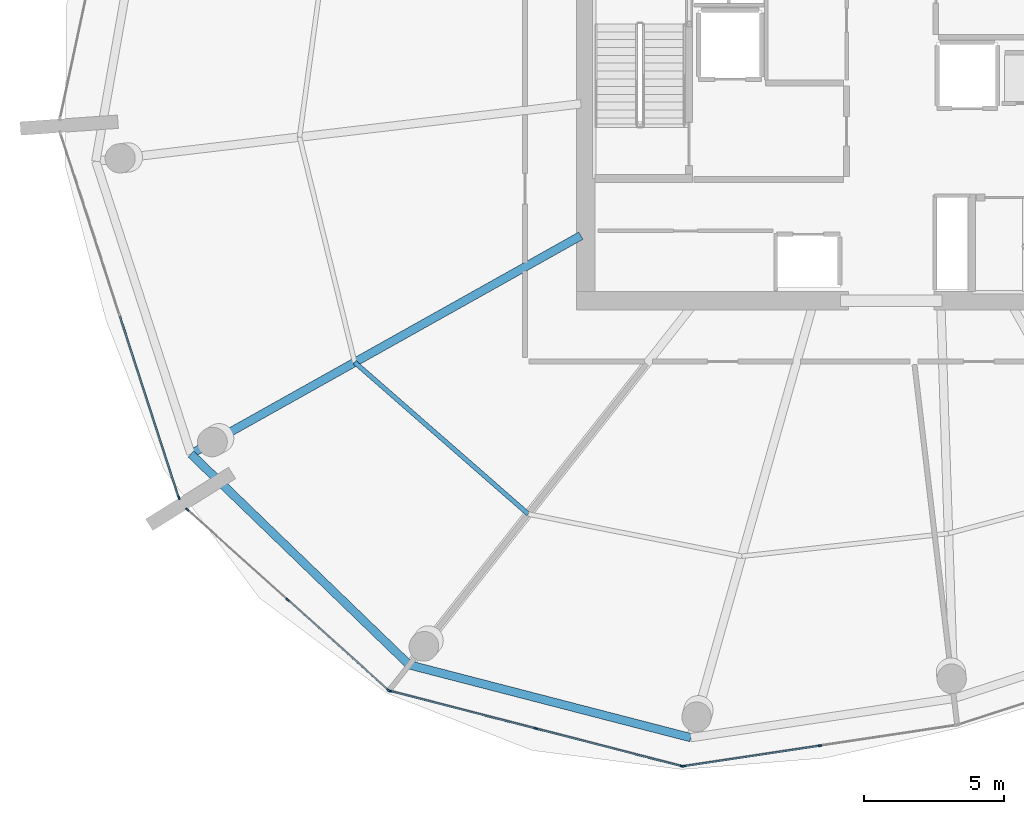
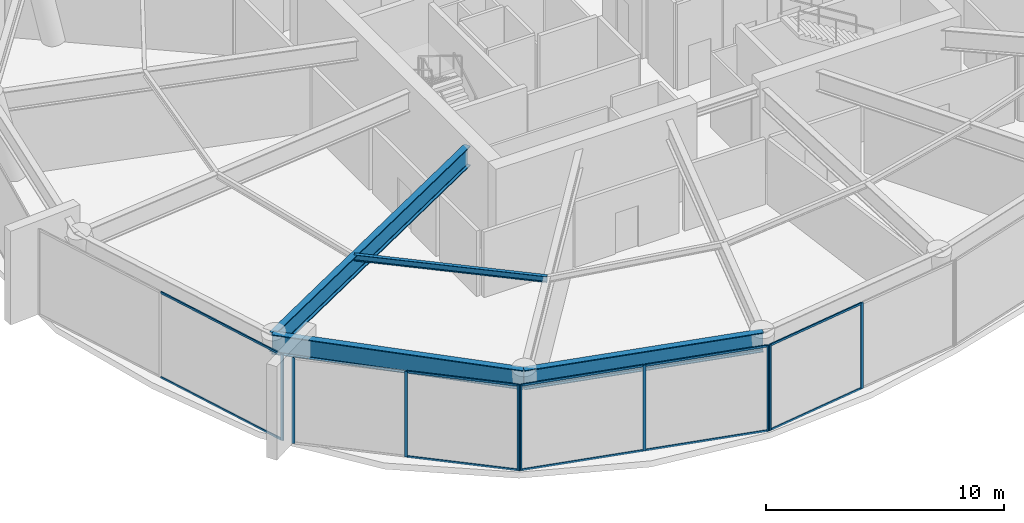
# One storey, part 5 of 22: 19 members, 4 beams, 4 elements without a shape of their own.
"""IFC4 building model written with IfcOpenShell, lengths in metres."""

from ifc_helpers import new_model, si_unit, direction, frame, origin, origin_2d, place, context, subcontext, project, spatial, rectangle, i_section, extrude, material, layer, layer_set, material_profile, profile_set, type_object, element, aggregate, save


model = new_model("IFC4")

# Units and contexts
model_context = context("Model", 3, precision=1e-05, world=origin(), true_north=direction((0.0, 1.0)))
body_context = subcontext(model_context, "Body", "Model", "MODEL_VIEW")
ifc_project = project(units=[si_unit("LENGTHUNIT", "METRE"), si_unit("AREAUNIT", "SQUARE_METRE"), si_unit("VOLUMEUNIT", "CUBIC_METRE"), si_unit("PLANEANGLEUNIT", "RADIAN"), si_unit("MASSUNIT", "GRAM", prefix="KILO")], contexts=[model_context])

# Site, building, storey
site_placement = place(None, origin())
site = spatial("IfcSite", under=ifc_project, at=site_placement, CompositionType="ELEMENT")
building_placement = place(site_placement, origin())
building = spatial("IfcBuilding", under=site, at=building_placement, Name="Kazma Halo Residences", CompositionType="ELEMENT")
storey_placement = place(building_placement, frame((0.0, 0.0, 231.89990234375)))
storey = spatial("IfcBuildingStorey", under=building, at=storey_placement, Name="L58", CompositionType="ELEMENT", Elevation=231.89990234375)

# Beams
ifc_material_1 = material(Name="Steel S355", Category="steel")
ifc_material_profile_1 = material_profile(ifc_material_1, i_section(OverallWidth=0.1650390625, OverallDepth=0.31005859375, WebThickness=0.005859375, FlangeThickness=0.009765625, FilletRadius=0.011962890625, at=origin_2d()), Name="W310x38.7")
ifc_profile_set_1 = profile_set([ifc_material_profile_1], Name="Steel S355")
beam_type_1 = type_object("IfcBeamType", Name="BM-SEC-W310B", PredefinedType="JOIST", material=ifc_profile_set_1)
beam_1_placement = place(storey_placement, frame((29.197265625, 31.469970703125, 4.2451171875), z_axis=(0.752882471337, -0.658154985055, 0.0), x_axis=(0.658154985055, 0.752882471337, 0.0)))
element("IfcBeam", 1, at=beam_1_placement, inside=storey, type_object=beam_type_1, Name="L58 circumferential floor joist 09", PredefinedType="JOIST", context=body_context, shape_type="SweptSolid", body=[
    extrude(i_section(OverallWidth=0.1650390625, OverallDepth=0.31005859375, WebThickness=0.005859375, FlangeThickness=0.009765625, FilletRadius=0.011962890625, at=origin_2d()), origin(), (0.0, 0.0, 1.0), 8.257568359375),
])
ifc_material_profile_2 = material_profile(ifc_material_1, i_section(OverallWidth=0.302001953125, OverallDepth=1.01806640625, WebThickness=0.021484375, FlangeThickness=0.049072265625, FilletRadius=0.028076171875, at=origin_2d()), Name="W1000x443")
ifc_profile_set_2 = profile_set([ifc_material_profile_2], Name="Steel S355")
beam_type_2 = type_object("IfcBeamType", Name="BM-TRANS-W1000A", PredefinedType="BEAM", material=ifc_profile_set_2)
beam_2_placement = place(storey_placement, frame((37.300048828125, 36.0078125, 3.89111328125), z_axis=(-0.872498735757, -0.488616369049, 0.0), x_axis=(0.488616369049, -0.872498735757, 0.0)))
element("IfcBeam", 2, at=beam_2_placement, inside=storey, type_object=beam_type_2, Name="L58 podium radial transfer girder 09", PredefinedType="BEAM", context=body_context, shape_type="SweptSolid", body=[
    extrude(i_section(OverallWidth=0.302001953125, OverallDepth=1.01806640625, WebThickness=0.021484375, FlangeThickness=0.049072265625, FilletRadius=0.028076171875, at=origin_2d()), origin(), (0.0, 0.0, 1.0), 16.011962890625),
])
ifc_material_profile_3 = material_profile(ifc_material_1, i_section(OverallWidth=0.300048828125, OverallDepth=1.0, WebThickness=0.01904296875, FlangeThickness=0.0400390625, FilletRadius=0.02587890625, at=origin_2d()), Name="W1000x371")
ifc_profile_set_3 = profile_set([ifc_material_profile_3], Name="Steel S355")
beam_type_3 = type_object("IfcBeamType", Name="BM-TRANS-W1000B", PredefinedType="BEAM", material=ifc_profile_set_3)
beam_3_placement = place(storey_placement, frame((23.32958984375, 28.18408203125, 3.900146484375), z_axis=(0.719345757929, -0.694652201141, 0.0), x_axis=(0.694652201141, 0.719345757929, 0.0)))
element("IfcBeam", 3, at=beam_3_placement, inside=storey, type_object=beam_type_3, Name="L58 perimeter ring beam 09", PredefinedType="BEAM", context=body_context, shape_type="SweptSolid", body=[
    extrude(i_section(OverallWidth=0.300048828125, OverallDepth=1.0, WebThickness=0.01904296875, FlangeThickness=0.0400390625, FilletRadius=0.02587890625, at=origin_2d()), origin(), (0.0, 0.0, 1.0), 10.87548828125),
])
beam_4_placement = place(storey_placement, frame((31.15283203125, 20.62939453125, 3.900146484375), z_axis=(0.968126042852, -0.250463500639, 0.0), x_axis=(0.250463500639, 0.968126042852, 0.0)))
element("IfcBeam", 4, at=beam_4_placement, inside=storey, type_object=beam_type_3, Name="L58 perimeter ring beam 10", PredefinedType="BEAM", context=body_context, shape_type="SweptSolid", body=[
    extrude(i_section(OverallWidth=0.300048828125, OverallDepth=1.0, WebThickness=0.01904296875, FlangeThickness=0.0400390625, FilletRadius=0.02587890625, at=origin_2d()), origin(), (0.0, 0.0, 1.0), 10.416259765625),
])

# Curtain wall, member
ifc_material_2 = material(Name="Aluminium AW-6063 T6 and Triple-Silver Low-E Glass", Category="aluminium")
ifc_layer = layer(ifc_material_2, 0.139892578125)
ifc_layer_set = layer_set([ifc_layer], Name="Aluminium AW-6063 T6 and Triple-Silver Low-E Glass")
curtain_wall_type = type_object("IfcCurtainWallType", Name="CW-SYS-5", PredefinedType="NOTDEFINED", material=ifc_layer_set)
curtain_wall_1_placement = place(storey_placement, origin())
curtain_wall_1 = element("IfcCurtainWall", 5, at=curtain_wall_1_placement, inside=storey, type_object=curtain_wall_type, Name="L58 unitised curtain wall B08", PredefinedType="NOTDEFINED")
ifc_material_3 = material(Name="Aluminium AW-6063 T6", Category="aluminium")
ifc_material_profile_4 = material_profile(ifc_material_3, rectangle(XDim=0.06005859375, YDim=0.139892578125, at=origin_2d()), Name="CWM-60x140")
ifc_profile_set_4 = profile_set([ifc_material_profile_4], Name="Aluminium AW-6063 T6")
member_type_1 = type_object("IfcMemberType", Name="CW-SYS-5-MUL", PredefinedType="MULLION", material=ifc_profile_set_4)
member_1_placement = place(storey_placement, frame((22.897216796875, 26.62109375, 0.0), z_axis=(0.0, 0.0, 1.0), x_axis=(0.951055583158, 0.309019866261, 0.0)))
member_1 = element("IfcMember", 6, at=member_1_placement, type_object=member_type_1, Name="CWS-5 mullion 3", PredefinedType="MULLION", context=body_context, shape_type="SweptSolid", body=[
    extrude(rectangle(XDim=0.06005859375, YDim=0.139892578125, at=origin_2d()), origin(), (0.0, 0.0, 1.0), 4.400146484375),
])

# Curtain wall, members
curtain_wall_2_placement = place(storey_placement, origin())
curtain_wall_2 = element("IfcCurtainWall", 7, at=curtain_wall_2_placement, inside=storey, type_object=curtain_wall_type, Name="L58 unitised curtain wall B09", PredefinedType="NOTDEFINED")
member_2_placement = place(storey_placement, frame((23.19482421875, 26.193359375, 0.0), z_axis=(0.0, 0.0, 1.0), x_axis=(0.667800416694, 0.744340381454, 0.0)))
member_2 = element("IfcMember", 8, at=member_2_placement, type_object=member_type_1, Name="CWS-5 mullion 1", PredefinedType="MULLION", context=body_context, shape_type="SweptSolid", body=[
    extrude(rectangle(XDim=0.06005859375, YDim=0.139892578125, at=origin_2d()), origin(), (0.0, 0.0, 1.0), 4.400146484375),
])
member_3_placement = place(storey_placement, frame((26.798828125, 22.9599609375, 0.0), z_axis=(0.0, 0.0, 1.0), x_axis=(0.667800416694, 0.744340381454, 0.0)))
member_3 = element("IfcMember", 9, at=member_3_placement, type_object=member_type_1, Name="CWS-5 mullion 2", PredefinedType="MULLION", context=body_context, shape_type="SweptSolid", body=[
    extrude(rectangle(XDim=0.06005859375, YDim=0.139892578125, at=origin_2d()), origin(), (0.0, 0.0, 1.0), 4.400146484375),
])
member_4_placement = place(storey_placement, frame((30.40283203125, 19.7265625, 0.0), z_axis=(0.0, 0.0, 1.0), x_axis=(0.667800416694, 0.744340381454, 0.0)))
member_4 = element("IfcMember", 10, at=member_4_placement, type_object=member_type_1, Name="CWS-5 mullion 3", PredefinedType="MULLION", context=body_context, shape_type="SweptSolid", body=[
    extrude(rectangle(XDim=0.06005859375, YDim=0.139892578125, at=origin_2d()), origin(), (0.0, 0.0, 1.0), 4.400146484375),
])

curtain_wall_3_placement = place(storey_placement, origin())
curtain_wall_3 = element("IfcCurtainWall", 11, at=curtain_wall_3_placement, inside=storey, type_object=curtain_wall_type, Name="L58 unitised curtain wall B10", PredefinedType="NOTDEFINED")
member_5_placement = place(storey_placement, frame((30.454345703125, 19.698974609375, 0.0), z_axis=(0.0, 0.0, 1.0), x_axis=(0.249566561617, 0.96835764639, 0.0)))
member_5 = element("IfcMember", 12, at=member_5_placement, type_object=member_type_1, Name="CWS-5 mullion 1", PredefinedType="MULLION", context=body_context, shape_type="SweptSolid", body=[
    extrude(rectangle(XDim=0.06005859375, YDim=0.139892578125, at=origin_2d()), origin(), (0.0, 0.0, 1.0), 4.400146484375),
])
member_6_placement = place(storey_placement, frame((35.6865234375, 18.3505859375, 0.0), z_axis=(0.0, 0.0, 1.0), x_axis=(0.249566561617, 0.96835764639, 0.0)))
member_6 = element("IfcMember", 13, at=member_6_placement, type_object=member_type_1, Name="CWS-5 mullion 2", PredefinedType="MULLION", context=body_context, shape_type="SweptSolid", body=[
    extrude(rectangle(XDim=0.06005859375, YDim=0.139892578125, at=origin_2d()), origin(), (0.0, 0.0, 1.0), 4.400146484375),
])
member_7_placement = place(storey_placement, frame((40.918701171875, 17.002197265625, 0.0), z_axis=(0.0, 0.0, 1.0), x_axis=(0.249566561617, 0.96835764639, 0.0)))
member_7 = element("IfcMember", 14, at=member_7_placement, type_object=member_type_1, Name="CWS-5 mullion 3", PredefinedType="MULLION", context=body_context, shape_type="SweptSolid", body=[
    extrude(rectangle(XDim=0.06005859375, YDim=0.139892578125, at=origin_2d()), origin(), (0.0, 0.0, 1.0), 4.400146484375),
])

curtain_wall_4_placement = place(storey_placement, origin())
curtain_wall_4 = element("IfcCurtainWall", 15, at=curtain_wall_4_placement, inside=storey, type_object=curtain_wall_type, Name="L58 unitised curtain wall B11", PredefinedType="NOTDEFINED")
member_8_placement = place(storey_placement, frame((40.9775390625, 16.9990234375, 0.0), z_axis=(0.0, 0.0, 1.0), x_axis=(-0.148733218613, 0.988877358261, 0.0)))
member_8 = element("IfcMember", 16, at=member_8_placement, type_object=member_type_1, Name="CWS-5 mullion 1", PredefinedType="MULLION", context=body_context, shape_type="SweptSolid", body=[
    extrude(rectangle(XDim=0.06005859375, YDim=0.139892578125, at=origin_2d()), origin(), (0.0, 0.0, 1.0), 4.400146484375),
])
member_9_placement = place(storey_placement, frame((45.8662109375, 17.734375, 0.0), z_axis=(0.0, 0.0, 1.0), x_axis=(-0.148733218613, 0.988877358261, 0.0)))
member_9 = element("IfcMember", 17, at=member_9_placement, type_object=member_type_1, Name="CWS-5 mullion 2", PredefinedType="MULLION", context=body_context, shape_type="SweptSolid", body=[
    extrude(rectangle(XDim=0.06005859375, YDim=0.139892578125, at=origin_2d()), origin(), (0.0, 0.0, 1.0), 4.400146484375),
])

# Member
ifc_material_profile_5 = material_profile(ifc_material_3, rectangle(XDim=0.06005859375, YDim=0.10498046875, at=origin_2d()), Name="CWT-60x105")
ifc_profile_set_5 = profile_set([ifc_material_profile_5], Name="Aluminium AW-6063 T6")
member_type_2 = type_object("IfcMemberType", Name="CW-SYS-5-TRN", PredefinedType="USERDEFINED", material=ifc_profile_set_5)
member_10_placement = place(storey_placement, frame((20.78369140625, 33.12548828125, 0.030029296875), z_axis=(0.309033373877, -0.951051194116, 0.0), x_axis=(0.951051194116, 0.309033373877, 0.0)))
member_10 = element("IfcMember", 18, at=member_10_placement, type_object=member_type_2, Name="CWS-5 transom 2.1", ObjectType="TRANSOM", PredefinedType="USERDEFINED", context=body_context, shape_type="SweptSolid", body=[
    extrude(rectangle(XDim=0.06005859375, YDim=0.10498046875, at=origin_2d()), origin(), (0.0, 0.0, 1.0), 6.80908203125),
])

member_11_placement = place(storey_placement, frame((20.78369140625, 33.12548828125, 4.3701171875), z_axis=(0.309033373877, -0.951051194116, 0.0), x_axis=(0.951051194116, 0.309033373877, 0.0)))
member_11 = element("IfcMember", 19, at=member_11_placement, type_object=member_type_2, Name="CWS-5 transom 2.2", ObjectType="TRANSOM", PredefinedType="USERDEFINED", context=body_context, shape_type="SweptSolid", body=[
    extrude(rectangle(XDim=0.06005859375, YDim=0.10498046875, at=origin_2d()), origin(), (0.0, 0.0, 1.0), 6.80908203125),
])

aggregate(curtain_wall_1, [member_1, member_10, member_11])

member_12_placement = place(storey_placement, frame((26.821044921875, 22.93994140625, 0.030029296875), z_axis=(0.744359401449, -0.667779216115, 0.0), x_axis=(0.667779216115, 0.744359401449, 0.0)))
member_12 = element("IfcMember", 20, at=member_12_placement, type_object=member_type_2, Name="CWS-5 transom 2.1", ObjectType="TRANSOM", PredefinedType="USERDEFINED", context=body_context, shape_type="SweptSolid", body=[
    extrude(rectangle(XDim=0.06005859375, YDim=0.10498046875, at=origin_2d()), origin(), (0.0, 0.0, 1.0), 4.781982421875),
])

member_13_placement = place(storey_placement, frame((26.821044921875, 22.93994140625, 4.3701171875), z_axis=(0.744359401449, -0.667779216115, 0.0), x_axis=(0.667779216115, 0.744359401449, 0.0)))
member_13 = element("IfcMember", 21, at=member_13_placement, type_object=member_type_2, Name="CWS-5 transom 2.2", ObjectType="TRANSOM", PredefinedType="USERDEFINED", context=body_context, shape_type="SweptSolid", body=[
    extrude(rectangle(XDim=0.06005859375, YDim=0.10498046875, at=origin_2d()), origin(), (0.0, 0.0, 1.0), 4.781982421875),
])

aggregate(curtain_wall_2, [member_2, member_3, member_4, member_12, member_13])

member_14_placement = place(storey_placement, frame((30.4833984375, 19.69140625, 0.030029296875), z_axis=(0.968367487148, -0.249528374808, 0.0), x_axis=(0.249528374808, 0.968367487148, 0.0)))
member_14 = element("IfcMember", 22, at=member_14_placement, type_object=member_type_2, Name="CWS-5 transom 1.1", ObjectType="TRANSOM", PredefinedType="USERDEFINED", context=body_context, shape_type="SweptSolid", body=[
    extrude(rectangle(XDim=0.06005859375, YDim=0.10498046875, at=origin_2d()), origin(), (0.0, 0.0, 1.0), 5.343017578125),
])

member_15_placement = place(storey_placement, frame((30.4833984375, 19.69140625, 4.3701171875), z_axis=(0.968367487148, -0.249528374808, 0.0), x_axis=(0.249528374808, 0.968367487148, 0.0)))
member_15 = element("IfcMember", 23, at=member_15_placement, type_object=member_type_2, Name="CWS-5 transom 1.2", ObjectType="TRANSOM", PredefinedType="USERDEFINED", context=body_context, shape_type="SweptSolid", body=[
    extrude(rectangle(XDim=0.06005859375, YDim=0.10498046875, at=origin_2d()), origin(), (0.0, 0.0, 1.0), 5.343017578125),
])

member_16_placement = place(storey_placement, frame((35.715576171875, 18.343017578125, 0.030029296875), z_axis=(0.968356445339, -0.249571221839, 0.0), x_axis=(0.249571221839, 0.968356445339, 0.0)))
member_16 = element("IfcMember", 24, at=member_16_placement, type_object=member_type_2, Name="CWS-5 transom 2.1", ObjectType="TRANSOM", PredefinedType="USERDEFINED", context=body_context, shape_type="SweptSolid", body=[
    extrude(rectangle(XDim=0.06005859375, YDim=0.10498046875, at=origin_2d()), origin(), (0.0, 0.0, 1.0), 5.34326171875),
])

member_17_placement = place(storey_placement, frame((35.715576171875, 18.343017578125, 4.3701171875), z_axis=(0.968356445339, -0.249571221839, 0.0), x_axis=(0.249571221839, 0.968356445339, 0.0)))
member_17 = element("IfcMember", 25, at=member_17_placement, type_object=member_type_2, Name="CWS-5 transom 2.2", ObjectType="TRANSOM", PredefinedType="USERDEFINED", context=body_context, shape_type="SweptSolid", body=[
    extrude(rectangle(XDim=0.06005859375, YDim=0.10498046875, at=origin_2d()), origin(), (0.0, 0.0, 1.0), 5.34326171875),
])

aggregate(curtain_wall_3, [member_5, member_6, member_7, member_14, member_15, member_16, member_17])

member_18_placement = place(storey_placement, frame((41.007080078125, 17.00341796875, 0.030029296875), z_axis=(0.988871355513, 0.148773123402, 0.0), x_axis=(-0.148773123402, 0.988871355513, 0.0)))
member_18 = element("IfcMember", 26, at=member_18_placement, type_object=member_type_2, Name="CWS-5 transom 1.1", ObjectType="TRANSOM", PredefinedType="USERDEFINED", context=body_context, shape_type="SweptSolid", body=[
    extrude(rectangle(XDim=0.06005859375, YDim=0.10498046875, at=origin_2d()), origin(), (0.0, 0.0, 1.0), 4.8837890625),
])

member_19_placement = place(storey_placement, frame((41.007080078125, 17.00341796875, 4.3701171875), z_axis=(0.988871355513, 0.148773123402, 0.0), x_axis=(-0.148773123402, 0.988871355513, 0.0)))
member_19 = element("IfcMember", 27, at=member_19_placement, type_object=member_type_2, Name="CWS-5 transom 1.2", ObjectType="TRANSOM", PredefinedType="USERDEFINED", context=body_context, shape_type="SweptSolid", body=[
    extrude(rectangle(XDim=0.06005859375, YDim=0.10498046875, at=origin_2d()), origin(), (0.0, 0.0, 1.0), 4.8837890625),
])

aggregate(curtain_wall_4, [member_8, member_9, member_18, member_19])

save(model, "model.ifc")
